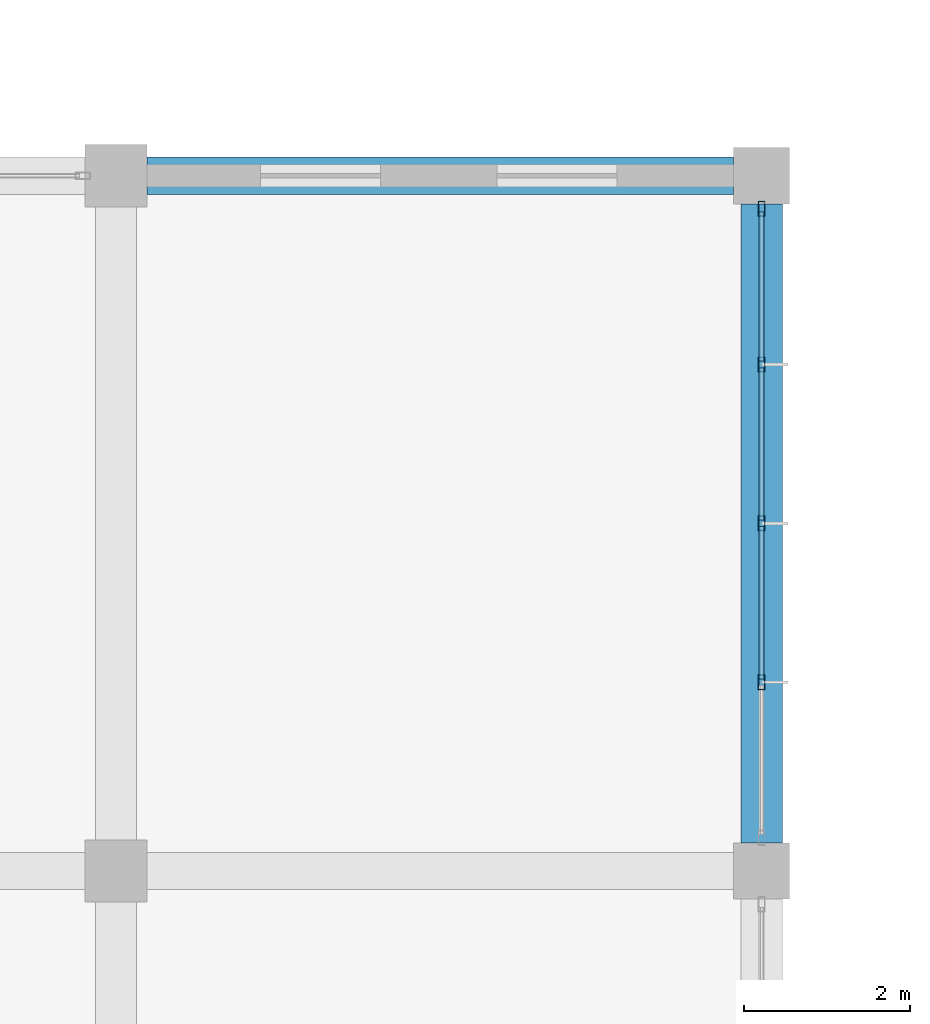
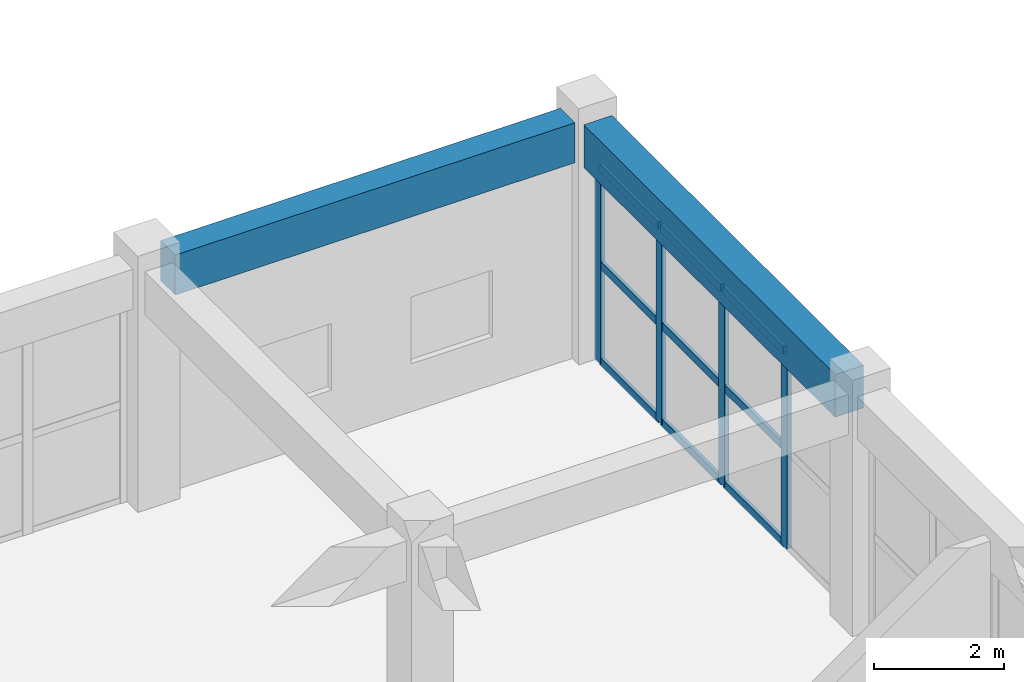
# One storey, part 129 of 175: 13 members, 2 beams, 1 element without a shape of its own.
"""IFC4 building model written with IfcOpenShell, lengths in metres."""

from ifc_helpers import new_model, si_unit, direction, frame, origin, origin_2d, place, context, subcontext, project, spatial, rectangle, hollow_rectangle, extrude, material, layer, layer_set, material_profile, profile_set, type_object, element, aggregate, save


model = new_model("IFC4")

# Units and contexts
model_context = context("Model", 3, precision=1e-05, world=origin(), true_north=direction((0.0, 1.0)))
body_context = subcontext(model_context, "Body", "Model", "MODEL_VIEW")
ifc_project = project(units=[si_unit("LENGTHUNIT", "METRE"), si_unit("AREAUNIT", "SQUARE_METRE"), si_unit("VOLUMEUNIT", "CUBIC_METRE"), si_unit("PLANEANGLEUNIT", "RADIAN"), si_unit("MASSUNIT", "GRAM", prefix="KILO")], contexts=[model_context])

# Site, building, storey
site_placement = place(None, origin())
site = spatial("IfcSite", under=ifc_project, at=site_placement, CompositionType="ELEMENT")
building_placement = place(site_placement, origin())
building = spatial("IfcBuilding", under=site, at=building_placement, Name="Zizhar Promenade General Hospital", CompositionType="ELEMENT")
storey_placement = place(building_placement, frame((0.0, 0.0, 4.800048828125)))
storey = spatial("IfcBuildingStorey", under=building, at=storey_placement, Name="L01", CompositionType="ELEMENT", Elevation=4.800048828125)

# Beams
ifc_material_1 = material(Name="Concrete C35/45", Category="concrete")
ifc_material_profile_1 = material_profile(ifc_material_1, rectangle(XDim=0.449951171875, YDim=0.75, at=origin_2d()))
ifc_profile_set_1 = profile_set([ifc_material_profile_1], Name="Concrete C35/45")
beam_type_1 = type_object("IfcBeamType", Name="BM-RC-450x750", PredefinedType="BEAM", material=ifc_profile_set_1)
beam_1_placement = place(storey_placement, frame((125.175048828125, 134.39990234375, 4.094970703125), z_axis=(1.0, 0.0, 0.0), x_axis=(0.0, 1.0, 0.0)))
element("IfcBeam", 1, at=beam_1_placement, inside=storey, type_object=beam_type_1, Name="Grid Beam X L01 (16-16)", PredefinedType="BEAM", context=body_context, shape_type="SweptSolid", body=[
    extrude(rectangle(XDim=0.449951171875, YDim=0.75, at=origin_2d()), origin(), (0.0, 0.0, 1.0), 7.0849609375),
])
ifc_material_2 = material(Name="Concrete C35/45", Category="concrete")
ifc_material_profile_2 = material_profile(ifc_material_2, rectangle(XDim=0.5, YDim=0.800048828125, at=origin_2d()))
ifc_profile_set_2 = profile_set([ifc_material_profile_2], Name="Concrete C35/45")
beam_type_2 = type_object("IfcBeamType", Name="BM-RC-500x800", PredefinedType="BEAM", material=ifc_profile_set_2)
beam_2_placement = place(storey_placement, frame((132.60009765625, 126.340087890625, 4.070068359375), z_axis=(0.0, 1.0, 0.0), x_axis=(-1.0, 0.0, 0.0)))
element("IfcBeam", 2, at=beam_2_placement, inside=storey, type_object=beam_type_2, Name="Grid Beam Y L01 (17-15)", PredefinedType="BEAM", context=body_context, shape_type="SweptSolid", body=[
    extrude(rectangle(XDim=0.5, YDim=0.800048828125, at=origin_2d()), origin(), (0.0, 0.0, 1.0), 7.719970703125),
])

# Curtain wall, members
ifc_material_3 = material(Name="Anodised aluminium 6063-T6 and low-E glass", Category="aluminium")
ifc_layer = layer(ifc_material_3, 0.159912109375)
ifc_layer_set = layer_set([ifc_layer], Name="Anodised aluminium 6063-T6 and low-E glass")
curtain_wall_type = type_object("IfcCurtainWallType", Name="CW-DT-MOD1", PredefinedType="NOTDEFINED", material=ifc_layer_set)
curtain_wall_placement = place(storey_placement, origin())
curtain_wall = element("IfcCurtainWall", 3, at=curtain_wall_placement, inside=storey, type_object=curtain_wall_type, Name="Surgical East Glazed Curtain Wall L01-15", PredefinedType="NOTDEFINED")
ifc_material_4 = material(Name="Anodised aluminium 6063-T6", Category="aluminium")
ifc_material_profile_3 = material_profile(ifc_material_4, hollow_rectangle(XDim=0.080078125, YDim=0.179931640625, WallThickness=0.0048828125, at=origin_2d()))
ifc_profile_set_3 = profile_set([ifc_material_profile_3], Name="Anodised aluminium 6063-T6")
member_type_1 = type_object("IfcMemberType", Name="CWM-ALU-180x80", PredefinedType="MULLION", material=ifc_profile_set_3)
member_1_placement = place(storey_placement, frame((132.60009765625, 134.0, 0.0), z_axis=(0.0, 0.0, 1.0), x_axis=(1.0, 0.0, 0.0)))
member_1 = element("IfcMember", 4, at=member_1_placement, type_object=member_type_1, Name="CW-07 mullion 1", PredefinedType="MULLION", context=body_context, shape_type="SweptSolid", body=[
    extrude(hollow_rectangle(XDim=0.080078125, YDim=0.179931640625, WallThickness=0.0048828125, at=origin_2d()), origin(), (0.0, 0.0, 1.0), 3.679931640625),
])
member_2_placement = place(storey_placement, frame((132.60009765625, 132.1201171875, 0.0), z_axis=(0.0, 0.0, 1.0), x_axis=(1.0, 0.0, 0.0)))
member_2 = element("IfcMember", 5, at=member_2_placement, type_object=member_type_1, Name="CW-07 mullion 2", PredefinedType="MULLION", context=body_context, shape_type="SweptSolid", body=[
    extrude(hollow_rectangle(XDim=0.080078125, YDim=0.179931640625, WallThickness=0.0048828125, at=origin_2d()), origin(), (0.0, 0.0, 1.0), 3.679931640625),
])
member_3_placement = place(storey_placement, frame((132.60009765625, 130.199951171875, 0.0), z_axis=(0.0, 0.0, 1.0), x_axis=(1.0, 0.0, 0.0)))
member_3 = element("IfcMember", 6, at=member_3_placement, type_object=member_type_1, Name="CW-07 mullion 3", PredefinedType="MULLION", context=body_context, shape_type="SweptSolid", body=[
    extrude(hollow_rectangle(XDim=0.080078125, YDim=0.179931640625, WallThickness=0.0048828125, at=origin_2d()), origin(), (0.0, 0.0, 1.0), 3.679931640625),
])
member_4_placement = place(storey_placement, frame((132.60009765625, 128.280029296875, 0.0), z_axis=(0.0, 0.0, 1.0), x_axis=(1.0, 0.0, 0.0)))
member_4 = element("IfcMember", 7, at=member_4_placement, type_object=member_type_1, Name="CW-07 mullion 4", PredefinedType="MULLION", context=body_context, shape_type="SweptSolid", body=[
    extrude(hollow_rectangle(XDim=0.080078125, YDim=0.179931640625, WallThickness=0.0048828125, at=origin_2d()), origin(), (0.0, 0.0, 1.0), 3.679931640625),
])
ifc_material_5 = material(Name="Anodised aluminium 6063-T6", Category="aluminium")
ifc_material_profile_4 = material_profile(ifc_material_5, hollow_rectangle(XDim=0.06005859375, YDim=0.14990234375, WallThickness=0.00390625, at=origin_2d()))
ifc_profile_set_4 = profile_set([ifc_material_profile_4], Name="Anodised aluminium 6063-T6")
member_type_2 = type_object("IfcMemberType", Name="CWT-ALU-150x60", PredefinedType="USERDEFINED", material=ifc_profile_set_4)
member_5_placement = place(storey_placement, frame((132.60009765625, 133.9599609375, 0.030029296875), z_axis=(0.0, -1.0, 0.0), x_axis=(1.0, 0.0, 0.0)))
member_5 = element("IfcMember", 8, at=member_5_placement, type_object=member_type_2, Name="CW-07 transom 1.1", ObjectType="TRANSOM", PredefinedType="USERDEFINED", context=body_context, shape_type="SweptSolid", body=[
    extrude(hollow_rectangle(XDim=0.06005859375, YDim=0.14990234375, WallThickness=0.00390625, at=origin_2d()), origin(), (0.0, 0.0, 1.0), 1.800048828125),
])
member_6_placement = place(storey_placement, frame((132.60009765625, 133.9599609375, 1.83984375), z_axis=(0.0, -1.0, 0.0), x_axis=(1.0, 0.0, 0.0)))
member_6 = element("IfcMember", 9, at=member_6_placement, type_object=member_type_2, Name="CW-07 transom 1.2", ObjectType="TRANSOM", PredefinedType="USERDEFINED", context=body_context, shape_type="SweptSolid", body=[
    extrude(hollow_rectangle(XDim=0.06005859375, YDim=0.14990234375, WallThickness=0.00390625, at=origin_2d()), origin(), (0.0, 0.0, 1.0), 1.800048828125),
])
member_7_placement = place(storey_placement, frame((132.60009765625, 133.9599609375, 3.64990234375), z_axis=(0.0, -1.0, 0.0), x_axis=(1.0, 0.0, 0.0)))
member_7 = element("IfcMember", 10, at=member_7_placement, type_object=member_type_2, Name="CW-07 transom 1.3", ObjectType="TRANSOM", PredefinedType="USERDEFINED", context=body_context, shape_type="SweptSolid", body=[
    extrude(hollow_rectangle(XDim=0.06005859375, YDim=0.14990234375, WallThickness=0.00390625, at=origin_2d()), origin(), (0.0, 0.0, 1.0), 1.800048828125),
])
member_8_placement = place(storey_placement, frame((132.60009765625, 132.080078125, 0.030029296875), z_axis=(0.0, -1.0, 0.0), x_axis=(1.0, 0.0, 0.0)))
member_8 = element("IfcMember", 11, at=member_8_placement, type_object=member_type_2, Name="CW-07 transom 2.1", ObjectType="TRANSOM", PredefinedType="USERDEFINED", context=body_context, shape_type="SweptSolid", body=[
    extrude(hollow_rectangle(XDim=0.06005859375, YDim=0.14990234375, WallThickness=0.00390625, at=origin_2d()), origin(), (0.0, 0.0, 1.0), 1.840087890625),
])
member_9_placement = place(storey_placement, frame((132.60009765625, 132.080078125, 1.83984375), z_axis=(0.0, -1.0, 0.0), x_axis=(1.0, 0.0, 0.0)))
member_9 = element("IfcMember", 12, at=member_9_placement, type_object=member_type_2, Name="CW-07 transom 2.2", ObjectType="TRANSOM", PredefinedType="USERDEFINED", context=body_context, shape_type="SweptSolid", body=[
    extrude(hollow_rectangle(XDim=0.06005859375, YDim=0.14990234375, WallThickness=0.00390625, at=origin_2d()), origin(), (0.0, 0.0, 1.0), 1.840087890625),
])
member_10_placement = place(storey_placement, frame((132.60009765625, 132.080078125, 3.64990234375), z_axis=(0.0, -1.0, 0.0), x_axis=(1.0, 0.0, 0.0)))
member_10 = element("IfcMember", 13, at=member_10_placement, type_object=member_type_2, Name="CW-07 transom 2.3", ObjectType="TRANSOM", PredefinedType="USERDEFINED", context=body_context, shape_type="SweptSolid", body=[
    extrude(hollow_rectangle(XDim=0.06005859375, YDim=0.14990234375, WallThickness=0.00390625, at=origin_2d()), origin(), (0.0, 0.0, 1.0), 1.840087890625),
])
member_11_placement = place(storey_placement, frame((132.60009765625, 130.159912109375, 0.030029296875), z_axis=(0.0, -1.0, 0.0), x_axis=(1.0, 0.0, 0.0)))
member_11 = element("IfcMember", 14, at=member_11_placement, type_object=member_type_2, Name="CW-07 transom 3.1", ObjectType="TRANSOM", PredefinedType="USERDEFINED", context=body_context, shape_type="SweptSolid", body=[
    extrude(hollow_rectangle(XDim=0.06005859375, YDim=0.14990234375, WallThickness=0.00390625, at=origin_2d()), origin(), (0.0, 0.0, 1.0), 1.83984375),
])
member_12_placement = place(storey_placement, frame((132.60009765625, 130.159912109375, 1.83984375), z_axis=(0.0, -1.0, 0.0), x_axis=(1.0, 0.0, 0.0)))
member_12 = element("IfcMember", 15, at=member_12_placement, type_object=member_type_2, Name="CW-07 transom 3.2", ObjectType="TRANSOM", PredefinedType="USERDEFINED", context=body_context, shape_type="SweptSolid", body=[
    extrude(hollow_rectangle(XDim=0.06005859375, YDim=0.14990234375, WallThickness=0.00390625, at=origin_2d()), origin(), (0.0, 0.0, 1.0), 1.83984375),
])
member_13_placement = place(storey_placement, frame((132.60009765625, 130.159912109375, 3.64990234375), z_axis=(0.0, -1.0, 0.0), x_axis=(1.0, 0.0, 0.0)))
member_13 = element("IfcMember", 16, at=member_13_placement, type_object=member_type_2, Name="CW-07 transom 3.3", ObjectType="TRANSOM", PredefinedType="USERDEFINED", context=body_context, shape_type="SweptSolid", body=[
    extrude(hollow_rectangle(XDim=0.06005859375, YDim=0.14990234375, WallThickness=0.00390625, at=origin_2d()), origin(), (0.0, 0.0, 1.0), 1.83984375),
])
aggregate(curtain_wall, [member_1, member_2, member_3, member_4, member_5, member_6, member_7, member_8, member_9, member_10, member_11, member_12, member_13])

save(model, "model.ifc")
